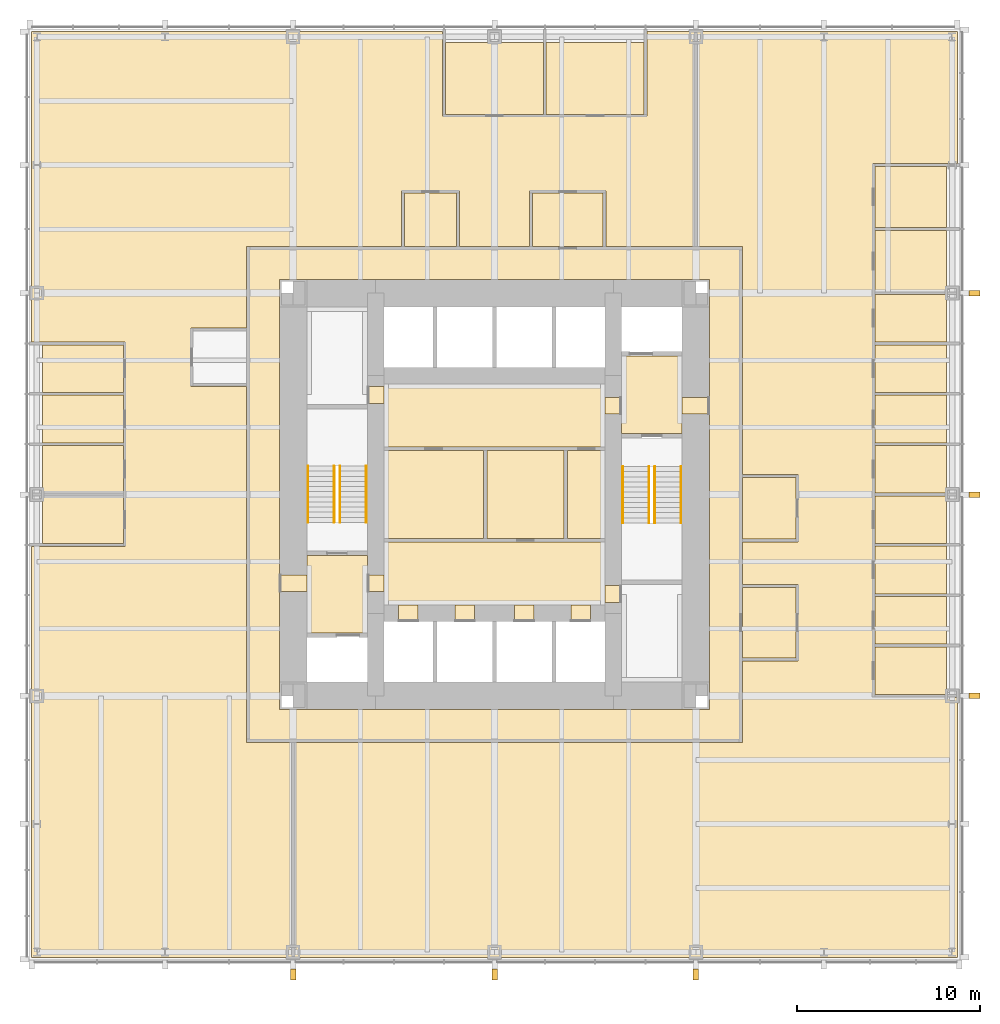
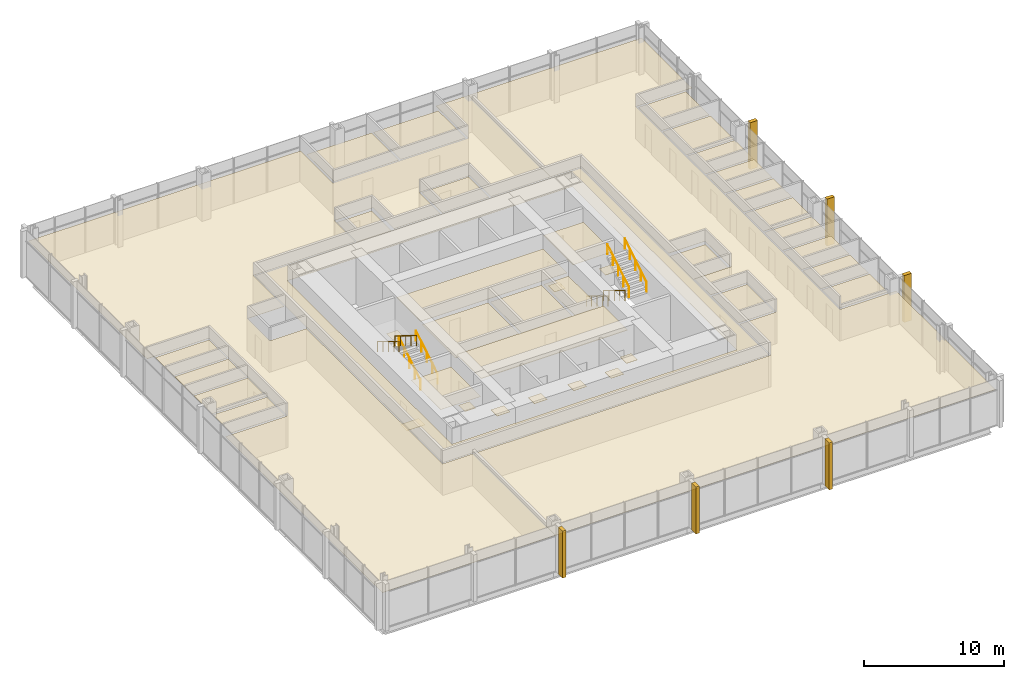
# One storey, part 12 of 12: 46 coverings, 8 railings.
"""IFC4 building model written with IfcOpenShell, lengths in metres."""

from ifc_helpers import new_model, si_unit, direction, frame, origin, origin_2d, place, context, subcontext, project, spatial, polyline, rectangle, circle, outline, extrude, material, layer, layer_set, type_object, element, save


model = new_model("IFC4")

# Units and contexts
model_context = context("Model", 3, precision=1e-05, world=origin(), true_north=direction((0.0, 1.0)))
body_context = subcontext(model_context, "Body", "Model", "MODEL_VIEW")
ifc_project = project(units=[si_unit("LENGTHUNIT", "METRE"), si_unit("AREAUNIT", "SQUARE_METRE"), si_unit("VOLUMEUNIT", "CUBIC_METRE"), si_unit("PLANEANGLEUNIT", "RADIAN"), si_unit("MASSUNIT", "GRAM", prefix="KILO")], contexts=[model_context])

# Site, building, storey
site_placement = place(None, origin())
site = spatial("IfcSite", under=ifc_project, at=site_placement, CompositionType="ELEMENT")
building_placement = place(site_placement, origin())
building = spatial("IfcBuilding", under=site, at=building_placement, Name="Trevanion Tower", CompositionType="ELEMENT")
storey_placement = place(building_placement, frame((0.0, 0.0, 44.699951171875)))
storey = spatial("IfcBuildingStorey", under=building, at=storey_placement, Name="L10", CompositionType="ELEMENT", Elevation=44.699951171875)

# Coverings
ifc_material_1 = material(Name="Fibrous plaster coffers on suspended steel grid", Category="steel")
ifc_layer_1 = layer(ifc_material_1, 0.050048828125)
ifc_layer_set_1 = layer_set([ifc_layer_1], Name="CL1 coffered fibrous plaster ceiling 50")
covering_type_1 = type_object("IfcCoveringType", Name="CL1 coffered fibrous plaster ceiling 50", PredefinedType="CEILING", material=ifc_layer_set_1)
covering_1_placement = place(storey_placement, frame((0.0, 0.0, 3.0)))
element("IfcCovering", 1, at=covering_1_placement, inside=storey, type_object=covering_type_1, Name="CL1 L10-LBS", PredefinedType="CEILING", context=body_context, shape_type="SweptSolid", body=[
    extrude(outline(polyline([(6.050048828125, -6.050048828125), (6.050048828125, -2.60009765625), (-6.050048828125, -2.60009765625), (-6.050048828125, -6.050048828125), (6.050048828125, -6.050048828125)])), origin(), (0.0, 0.0, 1.0), 0.050048828125),
])
ifc_material_2 = material(Name="Mineral fibre acoustic tiles in exposed grid", Category="mineral fibre")
ifc_layer_2 = layer(ifc_material_2, 0.02001953125)
ifc_layer_set_2 = layer_set([ifc_layer_2], Name="CL2 acoustic tile ceiling 20")
covering_type_2 = type_object("IfcCoveringType", Name="CL2 acoustic tile ceiling 20", PredefinedType="CEILING", material=ifc_layer_set_2)
covering_2_placement = place(storey_placement, frame((0.0, 0.0, 2.75)))
element("IfcCovering", 2, at=covering_2_placement, inside=storey, type_object=covering_type_2, Name="CL2 L10-LBN", PredefinedType="CEILING", context=body_context, shape_type="SweptSolid", body=[
    extrude(outline(polyline([(6.050048828125, 2.60009765625), (6.050048828125, 6.050048828125), (-6.050048828125, 6.050048828125), (-6.050048828125, 2.60009765625), (6.050048828125, 2.60009765625)])), origin(), (0.0, 0.0, 1.0), 0.02001953125),
])
covering_3_placement = place(storey_placement, frame((0.0, 0.0, 2.75)))
element("IfcCovering", 3, at=covering_3_placement, inside=storey, type_object=covering_type_2, Name="CL2 L10-CO", PredefinedType="CEILING", context=body_context, shape_type="SweptSolid", body=[
    extrude(outline(polyline([(-13.449951171875, 13.449951171875), (13.449951171875, 13.449951171875), (13.449951171875, -13.449951171875), (-13.449951171875, -13.449951171875), (-13.449951171875, 13.449951171875)]), holes=[polyline([(-11.75, 11.75), (-11.75, -11.75), (11.75, -11.75), (11.75, 11.75), (-11.75, 11.75)])]), origin(), (0.0, 0.0, 1.0), 0.02001953125),
])
covering_4_placement = place(storey_placement, frame((0.0, 0.0, 2.75)))
element("IfcCovering", 4, at=covering_4_placement, inside=storey, type_object=covering_type_2, Name="CL2 L10-OF", PredefinedType="CEILING", context=body_context, shape_type="SweptSolid", body=[
    extrude(outline(polyline([(20.77490234375, -10.925048828125), (20.77490234375, -8.324951171875), (24.699951171875, -8.324951171875), (24.699951171875, -10.925048828125), (20.77490234375, -10.925048828125)])), origin(), (0.0, 0.0, 1.0), 0.02001953125),
])
covering_5_placement = place(storey_placement, frame((0.0, 0.0, 2.75)))
element("IfcCovering", 5, at=covering_5_placement, inside=storey, type_object=covering_type_2, Name="CL2 L10-OF2", PredefinedType="CEILING", context=body_context, shape_type="SweptSolid", body=[
    extrude(outline(polyline([(20.77490234375, -8.175048828125), (20.77490234375, -5.574951171875), (24.699951171875, -5.574951171875), (24.699951171875, -8.175048828125), (20.77490234375, -8.175048828125)])), origin(), (0.0, 0.0, 1.0), 0.02001953125),
])
covering_6_placement = place(storey_placement, frame((0.0, 0.0, 2.75)))
element("IfcCovering", 6, at=covering_6_placement, inside=storey, type_object=covering_type_2, Name="CL2 L10-OF3", PredefinedType="CEILING", context=body_context, shape_type="SweptSolid", body=[
    extrude(outline(polyline([(20.77490234375, -5.425048828125), (20.77490234375, -2.824951171875), (24.699951171875, -2.824951171875), (24.699951171875, -5.425048828125), (20.77490234375, -5.425048828125)])), origin(), (0.0, 0.0, 1.0), 0.02001953125),
])
covering_7_placement = place(storey_placement, frame((0.0, 0.0, 2.75)))
element("IfcCovering", 7, at=covering_7_placement, inside=storey, type_object=covering_type_2, Name="CL2 L10-OF4", PredefinedType="CEILING", context=body_context, shape_type="SweptSolid", body=[
    extrude(outline(polyline([(20.77490234375, -2.675048828125), (20.77490234375, -0.074951171875), (24.699951171875, -0.074951171875), (24.699951171875, -2.675048828125), (20.77490234375, -2.675048828125)])), origin(), (0.0, 0.0, 1.0), 0.02001953125),
])
covering_8_placement = place(storey_placement, frame((0.0, 0.0, 2.75)))
element("IfcCovering", 8, at=covering_8_placement, inside=storey, type_object=covering_type_2, Name="CL2 L10-OF5", PredefinedType="CEILING", context=body_context, shape_type="SweptSolid", body=[
    extrude(outline(polyline([(20.77490234375, 0.074951171875), (20.77490234375, 2.675048828125), (24.699951171875, 2.675048828125), (24.699951171875, 0.074951171875), (20.77490234375, 0.074951171875)])), origin(), (0.0, 0.0, 1.0), 0.02001953125),
])
covering_9_placement = place(storey_placement, frame((0.0, 0.0, 2.75)))
element("IfcCovering", 9, at=covering_9_placement, inside=storey, type_object=covering_type_2, Name="CL2 L10-OF6", PredefinedType="CEILING", context=body_context, shape_type="SweptSolid", body=[
    extrude(outline(polyline([(20.77490234375, 2.824951171875), (20.77490234375, 5.425048828125), (24.699951171875, 5.425048828125), (24.699951171875, 2.824951171875), (20.77490234375, 2.824951171875)])), origin(), (0.0, 0.0, 1.0), 0.02001953125),
])
covering_10_placement = place(storey_placement, frame((0.0, 0.0, 2.75)))
element("IfcCovering", 10, at=covering_10_placement, inside=storey, type_object=covering_type_2, Name="CL2 L10-OF7", PredefinedType="CEILING", context=body_context, shape_type="SweptSolid", body=[
    extrude(outline(polyline([(20.77490234375, 5.574951171875), (20.77490234375, 8.175048828125), (24.699951171875, 8.175048828125), (24.699951171875, 5.574951171875), (20.77490234375, 5.574951171875)])), origin(), (0.0, 0.0, 1.0), 0.02001953125),
])
covering_11_placement = place(storey_placement, frame((0.0, 0.0, 2.75)))
element("IfcCovering", 11, at=covering_11_placement, inside=storey, type_object=covering_type_2, Name="CL2 L10-OF8", PredefinedType="CEILING", context=body_context, shape_type="SweptSolid", body=[
    extrude(outline(polyline([(20.77490234375, 8.324951171875), (20.77490234375, 10.925048828125), (24.699951171875, 10.925048828125), (24.699951171875, 8.324951171875), (20.77490234375, 8.324951171875)])), origin(), (0.0, 0.0, 1.0), 0.02001953125),
])
covering_12_placement = place(storey_placement, frame((0.0, 0.0, 2.75)))
element("IfcCovering", 12, at=covering_12_placement, inside=storey, type_object=covering_type_2, Name="CL2 L10-OF9", PredefinedType="CEILING", context=body_context, shape_type="SweptSolid", body=[
    extrude(outline(polyline([(20.77490234375, 11.074951171875), (20.77490234375, 14.425048828125), (24.699951171875, 14.425048828125), (24.699951171875, 11.074951171875), (20.77490234375, 11.074951171875)])), origin(), (0.0, 0.0, 1.0), 0.02001953125),
])
covering_13_placement = place(storey_placement, frame((0.0, 0.0, 2.75)))
element("IfcCovering", 13, at=covering_13_placement, inside=storey, type_object=covering_type_2, Name="CL2 L10-OF10", PredefinedType="CEILING", context=body_context, shape_type="SweptSolid", body=[
    extrude(outline(polyline([(20.77490234375, 14.574951171875), (20.77490234375, 17.925048828125), (24.699951171875, 17.925048828125), (24.699951171875, 14.574951171875), (20.77490234375, 14.574951171875)])), origin(), (0.0, 0.0, 1.0), 0.02001953125),
])
covering_14_placement = place(storey_placement, frame((0.0, 0.0, 2.75)))
element("IfcCovering", 14, at=covering_14_placement, inside=storey, type_object=covering_type_2, Name="CL2 L10-OF11", PredefinedType="CEILING", context=body_context, shape_type="SweptSolid", body=[
    extrude(outline(polyline([(-20.27490234375, 8.175048828125), (-20.27490234375, 5.574951171875), (-24.699951171875, 5.574951171875), (-24.699951171875, 8.175048828125), (-20.27490234375, 8.175048828125)])), origin(), (0.0, 0.0, 1.0), 0.02001953125),
])
covering_15_placement = place(storey_placement, frame((0.0, 0.0, 2.75)))
element("IfcCovering", 15, at=covering_15_placement, inside=storey, type_object=covering_type_2, Name="CL2 L10-OF12", PredefinedType="CEILING", context=body_context, shape_type="SweptSolid", body=[
    extrude(outline(polyline([(-20.27490234375, 5.425048828125), (-20.27490234375, 2.824951171875), (-24.699951171875, 2.824951171875), (-24.699951171875, 5.425048828125), (-20.27490234375, 5.425048828125)])), origin(), (0.0, 0.0, 1.0), 0.02001953125),
])
covering_16_placement = place(storey_placement, frame((0.0, 0.0, 2.75)))
element("IfcCovering", 16, at=covering_16_placement, inside=storey, type_object=covering_type_2, Name="CL2 L10-OF13", PredefinedType="CEILING", context=body_context, shape_type="SweptSolid", body=[
    extrude(outline(polyline([(-20.27490234375, 2.675048828125), (-20.27490234375, 0.074951171875), (-24.699951171875, 0.074951171875), (-24.699951171875, 2.675048828125), (-20.27490234375, 2.675048828125)])), origin(), (0.0, 0.0, 1.0), 0.02001953125),
])
covering_17_placement = place(storey_placement, frame((0.0, 0.0, 2.75)))
element("IfcCovering", 17, at=covering_17_placement, inside=storey, type_object=covering_type_2, Name="CL2 L10-OF14", PredefinedType="CEILING", context=body_context, shape_type="SweptSolid", body=[
    extrude(outline(polyline([(-20.27490234375, -0.074951171875), (-20.27490234375, -2.675048828125), (-24.699951171875, -2.675048828125), (-24.699951171875, -0.074951171875), (-20.27490234375, -0.074951171875)])), origin(), (0.0, 0.0, 1.0), 0.02001953125),
])
covering_18_placement = place(storey_placement, frame((0.0, 0.0, 2.75)))
element("IfcCovering", 18, at=covering_18_placement, inside=storey, type_object=covering_type_2, Name="CL2 L10-MR", PredefinedType="CEILING", context=body_context, shape_type="SweptSolid", body=[
    extrude(outline(polyline([(8.175048828125, 20.77490234375), (2.824951171875, 20.77490234375), (2.824951171875, 24.699951171875), (8.175048828125, 24.699951171875), (8.175048828125, 20.77490234375)])), origin(), (0.0, 0.0, 1.0), 0.02001953125),
])
covering_19_placement = place(storey_placement, frame((0.0, 0.0, 2.75)))
element("IfcCovering", 19, at=covering_19_placement, inside=storey, type_object=covering_type_2, Name="CL2 L10-MR2", PredefinedType="CEILING", context=body_context, shape_type="SweptSolid", body=[
    extrude(outline(polyline([(2.675048828125, 20.77490234375), (-2.675048828125, 20.77490234375), (-2.675048828125, 24.699951171875), (2.675048828125, 24.699951171875), (2.675048828125, 20.77490234375)])), origin(), (0.0, 0.0, 1.0), 0.02001953125),
])
covering_20_placement = place(storey_placement, frame((0.0, 0.0, 2.75)))
element("IfcCovering", 20, at=covering_20_placement, inside=storey, type_object=covering_type_2, Name="CL2 L10-RC", PredefinedType="CEILING", context=body_context, shape_type="SweptSolid", body=[
    extrude(outline(polyline([(13.550048828125, -8.925048828125), (13.550048828125, -5.074951171875), (16.47509765625, -5.074951171875), (16.47509765625, -8.925048828125), (13.550048828125, -8.925048828125)])), origin(), (0.0, 0.0, 1.0), 0.02001953125),
])
covering_21_placement = place(storey_placement, frame((0.0, 0.0, 2.75)))
element("IfcCovering", 21, at=covering_21_placement, inside=storey, type_object=covering_type_2, Name="CL2 L10-RC2", PredefinedType="CEILING", context=body_context, shape_type="SweptSolid", body=[
    extrude(outline(polyline([(5.925048828125, 13.550048828125), (2.074951171875, 13.550048828125), (2.074951171875, 16.47509765625), (5.925048828125, 16.47509765625), (5.925048828125, 13.550048828125)])), origin(), (0.0, 0.0, 1.0), 0.02001953125),
])
covering_22_placement = place(storey_placement, frame((0.0, 0.0, 2.75)))
element("IfcCovering", 22, at=covering_22_placement, inside=storey, type_object=covering_type_2, Name="CL2 L10-OP", PredefinedType="CEILING", context=body_context, shape_type="SweptSolid", body=[
    extrude(outline(polyline([(13.550048828125, -13.550048828125), (13.550048828125, -9.094970703125), (16.570068359375, -9.094970703125), (16.570068359375, -4.905029296875), (13.550048828125, -4.905029296875), (13.550048828125, -2.594970703125), (16.570068359375, -2.594970703125), (16.570068359375, 1.094970703125), (13.550048828125, 1.094970703125), (13.550048828125, 13.550048828125), (11.0, 13.550048828125), (11.0, 25.300048828125), (25.300048828125, 25.300048828125), (25.300048828125, 18.094970703125), (20.679931640625, 18.094970703125), (20.679931640625, -11.094970703125), (25.300048828125, -11.094970703125), (25.300048828125, -25.300048828125), (-11.0, -25.300048828125), (-11.0, -13.550048828125), (13.550048828125, -13.550048828125)])), origin(), (0.0, 0.0, 1.0), 0.02001953125),
])
covering_23_placement = place(storey_placement, frame((0.0, 0.0, 2.75)))
element("IfcCovering", 23, at=covering_23_placement, inside=storey, type_object=covering_type_2, Name="CL2 L10-OP2", PredefinedType="CEILING", context=body_context, shape_type="SweptSolid", body=[
    extrude(outline(polyline([(-11.0, -13.550048828125), (-11.0, -25.300048828125), (-25.300048828125, -25.300048828125), (-25.300048828125, -2.844970703125), (-20.179931640625, -2.844970703125), (-20.179931640625, 8.344970703125), (-25.300048828125, 8.344970703125), (-25.300048828125, 25.300048828125), (-2.844970703125, 25.300048828125), (-2.844970703125, 20.679931640625), (8.344970703125, 20.679931640625), (8.344970703125, 25.300048828125), (11.0, 25.300048828125), (11.0, 13.550048828125), (6.094970703125, 13.550048828125), (6.094970703125, 16.570068359375), (1.905029296875, 16.570068359375), (1.905029296875, 13.550048828125), (-1.905029296875, 13.550048828125), (-1.905029296875, 16.570068359375), (-5.094970703125, 16.570068359375), (-5.094970703125, 13.550048828125), (-13.550048828125, 13.550048828125), (-13.550048828125, 9.094970703125), (-16.570068359375, 9.094970703125), (-16.570068359375, 5.905029296875), (-13.550048828125, 5.905029296875), (-13.550048828125, -13.550048828125), (-11.0, -13.550048828125)])), origin(), (0.0, 0.0, 1.0), 0.02001953125),
])
ifc_material_3 = material(Name="Gypsum plasterboard on suspended metal furring", Category="gypsum")
ifc_layer_3 = layer(ifc_material_3, 0.012939453125)
ifc_layer_set_3 = layer_set([ifc_layer_3], Name="CL3 plasterboard ceiling 13")
covering_type_3 = type_object("IfcCoveringType", Name="CL3 plasterboard ceiling 13", PredefinedType="CEILING", material=ifc_layer_set_3)
covering_24_placement = place(storey_placement, frame((0.0, 0.0, 2.699951171875)))
element("IfcCovering", 24, at=covering_24_placement, inside=storey, type_object=covering_type_3, Name="CL3 L10-FV1", PredefinedType="CEILING", context=body_context, shape_type="SweptSolid", body=[
    extrude(outline(polyline([(10.25, 3.324951171875), (10.25, 7.574951171875), (6.949951171875, 7.574951171875), (6.949951171875, 3.324951171875), (10.25, 3.324951171875)])), origin(), (0.0, 0.0, 1.0), 0.01318359375),
])
covering_25_placement = place(storey_placement, frame((0.0, 0.0, 2.699951171875)))
element("IfcCovering", 25, at=covering_25_placement, inside=storey, type_object=covering_type_3, Name="CL3 L10-FV2", PredefinedType="CEILING", context=body_context, shape_type="SweptSolid", body=[
    extrude(outline(polyline([(-10.25, -3.324951171875), (-10.25, -7.574951171875), (-6.949951171875, -7.574951171875), (-6.949951171875, -3.324951171875), (-10.25, -3.324951171875)])), origin(), (0.0, 0.0, 1.0), 0.01318359375),
])
ifc_material_4 = material(Name="Moisture-resistant gypsum board on suspended metal furring", Category="gypsum")
ifc_layer_4 = layer(ifc_material_4, 0.01611328125)
ifc_layer_set_4 = layer_set([ifc_layer_4], Name="CL4 moisture-resistant board ceiling 16")
covering_type_4 = type_object("IfcCoveringType", Name="CL4 moisture-resistant board ceiling 16", PredefinedType="CEILING", material=ifc_layer_set_4)
covering_26_placement = place(storey_placement, frame((0.0, 0.0, 2.60009765625)))
element("IfcCovering", 26, at=covering_26_placement, inside=storey, type_object=covering_type_4, Name="CL4 L10-WCM", PredefinedType="CEILING", context=body_context, shape_type="SweptSolid", body=[
    extrude(outline(polyline([(-0.60009765625, -2.39990234375), (-0.60009765625, 2.39990234375), (-6.050048828125, 2.39990234375), (-6.050048828125, -2.39990234375), (-0.60009765625, -2.39990234375)])), origin(), (0.0, 0.0, 1.0), 0.015869140625),
])
covering_27_placement = place(storey_placement, frame((0.0, 0.0, 2.60009765625)))
element("IfcCovering", 27, at=covering_27_placement, inside=storey, type_object=covering_type_4, Name="CL4 L10-WCF", PredefinedType="CEILING", context=body_context, shape_type="SweptSolid", body=[
    extrude(outline(polyline([(3.800048828125, -2.39990234375), (3.800048828125, 2.39990234375), (-0.39990234375, 2.39990234375), (-0.39990234375, -2.39990234375), (3.800048828125, -2.39990234375)])), origin(), (0.0, 0.0, 1.0), 0.015869140625),
])
covering_28_placement = place(storey_placement, frame((0.0, 0.0, 2.60009765625)))
element("IfcCovering", 28, at=covering_28_placement, inside=storey, type_object=covering_type_4, Name="CL4 L10-WCA", PredefinedType="CEILING", context=body_context, shape_type="SweptSolid", body=[
    extrude(outline(polyline([(6.050048828125, -2.39990234375), (6.050048828125, 2.39990234375), (4.0, 2.39990234375), (4.0, -2.39990234375), (6.050048828125, -2.39990234375)])), origin(), (0.0, 0.0, 1.0), 0.015869140625),
])
covering_29_placement = place(storey_placement, frame((0.0, 0.0, 2.60009765625)))
element("IfcCovering", 29, at=covering_29_placement, inside=storey, type_object=covering_type_4, Name="CL4 L10-PA", PredefinedType="CEILING", context=body_context, shape_type="SweptSolid", body=[
    extrude(outline(polyline([(13.550048828125, -2.425048828125), (13.550048828125, 0.925048828125), (16.47509765625, 0.925048828125), (16.47509765625, -2.425048828125), (13.550048828125, -2.425048828125)])), origin(), (0.0, 0.0, 1.0), 0.015869140625),
])
covering_30_placement = place(storey_placement, frame((0.0, 0.0, 2.60009765625)))
element("IfcCovering", 30, at=covering_30_placement, inside=storey, type_object=covering_type_4, Name="CL4 L10-PA2", PredefinedType="CEILING", context=body_context, shape_type="SweptSolid", body=[
    extrude(outline(polyline([(-2.074951171875, 13.550048828125), (-4.925048828125, 13.550048828125), (-4.925048828125, 16.47509765625), (-2.074951171875, 16.47509765625), (-2.074951171875, 13.550048828125)])), origin(), (0.0, 0.0, 1.0), 0.015869140625),
])
ifc_material_5 = material(Name="Cast bronze fin on aluminium carrier", Category="aluminium")
covering_type_5 = type_object("IfcCoveringType", Name="F1 bronze fin", PredefinedType="CLADDING", material=ifc_material_5)
for number, where, z_axis, x_axis, name in (
    (31, (26.22509765625, -11.0, -0.18994140625), (0.0, 0.0, 1.0), (0.0, 1.0, 0.0), "F1 L10 east -11.0"),
    (32, (26.22509765625, 0.0, -0.18994140625), (0.0, 0.0, 1.0), (0.0, 1.0, 0.0), "F1 L10 east +0.0"),
    (33, (26.22509765625, 11.0, -0.18994140625), (0.0, 0.0, 1.0), (0.0, 1.0, 0.0), "F1 L10 east +11.0"),
    (34, (-11.0, -26.22509765625, -0.18994140625), (0.0, 0.0, 1.0), (1.0, 0.0, 0.0), "F1 L10 south -11.0"),
    (35, (0.0, -26.22509765625, -0.18994140625), (0.0, 0.0, 1.0), (1.0, 0.0, 0.0), "F1 L10 south +0.0"),
    (36, (11.0, -26.22509765625, -0.18994140625), (0.0, 0.0, 1.0), (1.0, 0.0, 0.0), "F1 L10 south +11.0"),
):
    element("IfcCovering", number, at=place(storey_placement, frame(where, z_axis=z_axis, x_axis=x_axis)), inside=storey, type_object=covering_type_5, Name=name, PredefinedType="CLADDING", context=body_context, shape_type="SweptSolid", body=[
        extrude(rectangle(XDim=0.300048828125, YDim=0.60009765625, at=origin_2d()), origin(), (0.0, 0.0, 1.0), 4.10009765625),
    ])
ifc_material_6 = material(Name="Terrazzo, brass divider strips", Category="stone")
ifc_layer_5 = layer(ifc_material_6, 0.02001953125)
ifc_layer_set_5 = layer_set([ifc_layer_5], Name="FF1 terrazzo flooring")
covering_type_6 = type_object("IfcCoveringType", Name="FF1 terrazzo flooring", PredefinedType="FLOORING", material=ifc_layer_set_5)
covering_31_placement = place(storey_placement, origin())
element("IfcCovering", 37, at=covering_31_placement, inside=storey, type_object=covering_type_6, Name="FF1 threshold 10-001", PredefinedType="FLOORING", context=body_context, shape_type="SweptSolid", body=[
    extrude(outline(polyline([(11.75, 4.392578125), (11.75, 5.3076171875), (10.25, 5.3076171875), (10.25, 4.392578125), (11.75, 4.392578125)])), origin(), (0.0, 0.0, 1.0), 0.02001953125),
])
covering_32_placement = place(storey_placement, origin())
element("IfcCovering", 38, at=covering_32_placement, inside=storey, type_object=covering_type_6, Name="FF1 threshold 10-002", PredefinedType="FLOORING", context=body_context, shape_type="SweptSolid", body=[
    extrude(outline(polyline([(-11.75, -4.392578125), (-11.75, -5.3076171875), (-10.25, -5.3076171875), (-10.25, -4.392578125), (-11.75, -4.392578125)])), origin(), (0.0, 0.0, 1.0), 0.02001953125),
])
covering_33_placement = place(storey_placement, origin())
element("IfcCovering", 39, at=covering_33_placement, inside=storey, type_object=covering_type_6, Name="FF1 threshold 10-003", PredefinedType="FLOORING", context=body_context, shape_type="SweptSolid", body=[
    extrude(outline(polyline([(6.949951171875, 4.392578125), (6.949951171875, 5.3076171875), (6.050048828125, 5.3076171875), (6.050048828125, 4.392578125), (6.949951171875, 4.392578125)])), origin(), (0.0, 0.0, 1.0), 0.02001953125),
])
covering_34_placement = place(storey_placement, origin())
element("IfcCovering", 40, at=covering_34_placement, inside=storey, type_object=covering_type_6, Name="FF1 threshold 10-004", PredefinedType="FLOORING", context=body_context, shape_type="SweptSolid", body=[
    extrude(outline(polyline([(-6.949951171875, -4.392578125), (-6.949951171875, -5.3076171875), (-6.050048828125, -5.3076171875), (-6.050048828125, -4.392578125), (-6.949951171875, -4.392578125)])), origin(), (0.0, 0.0, 1.0), 0.02001953125),
])
covering_35_placement = place(storey_placement, origin())
element("IfcCovering", 41, at=covering_35_placement, inside=storey, type_object=covering_type_6, Name="FF1 threshold 10-009", PredefinedType="FLOORING", context=body_context, shape_type="SweptSolid", body=[
    extrude(outline(polyline([(6.949951171875, -5.889892578125), (6.949951171875, -4.97509765625), (6.050048828125, -4.97509765625), (6.050048828125, -5.889892578125), (6.949951171875, -5.889892578125)])), origin(), (0.0, 0.0, 1.0), 0.02001953125),
])
covering_36_placement = place(storey_placement, origin())
element("IfcCovering", 42, at=covering_36_placement, inside=storey, type_object=covering_type_6, Name="FF1 threshold 10-010", PredefinedType="FLOORING", context=body_context, shape_type="SweptSolid", body=[
    extrude(outline(polyline([(-6.949951171875, 5.889892578125), (-6.949951171875, 4.97509765625), (-6.050048828125, 4.97509765625), (-6.050048828125, 5.889892578125), (-6.949951171875, 5.889892578125)])), origin(), (0.0, 0.0, 1.0), 0.02001953125),
])
covering_37_placement = place(storey_placement, origin())
element("IfcCovering", 43, at=covering_37_placement, inside=storey, type_object=covering_type_6, Name="FF1 threshold 10-011", PredefinedType="FLOORING", context=body_context, shape_type="SweptSolid", body=[
    extrude(outline(polyline([(-5.2333984375, -6.949951171875), (-4.16650390625, -6.949951171875), (-4.16650390625, -6.050048828125), (-5.2333984375, -6.050048828125), (-5.2333984375, -6.949951171875)])), origin(), (0.0, 0.0, 1.0), 0.02001953125),
])
covering_38_placement = place(storey_placement, origin())
element("IfcCovering", 44, at=covering_38_placement, inside=storey, type_object=covering_type_6, Name="FF1 threshold 10-012", PredefinedType="FLOORING", context=body_context, shape_type="SweptSolid", body=[
    extrude(outline(polyline([(-2.158447265625, -6.949951171875), (-1.091552734375, -6.949951171875), (-1.091552734375, -6.050048828125), (-2.158447265625, -6.050048828125), (-2.158447265625, -6.949951171875)])), origin(), (0.0, 0.0, 1.0), 0.02001953125),
])
covering_39_placement = place(storey_placement, origin())
element("IfcCovering", 45, at=covering_39_placement, inside=storey, type_object=covering_type_6, Name="FF1 threshold 10-013", PredefinedType="FLOORING", context=body_context, shape_type="SweptSolid", body=[
    extrude(outline(polyline([(1.091552734375, -6.949951171875), (2.158447265625, -6.949951171875), (2.158447265625, -6.050048828125), (1.091552734375, -6.050048828125), (1.091552734375, -6.949951171875)])), origin(), (0.0, 0.0, 1.0), 0.02001953125),
])
covering_40_placement = place(storey_placement, origin())
element("IfcCovering", 46, at=covering_40_placement, inside=storey, type_object=covering_type_6, Name="FF1 threshold 10-014", PredefinedType="FLOORING", context=body_context, shape_type="SweptSolid", body=[
    extrude(outline(polyline([(4.16650390625, -6.949951171875), (5.2333984375, -6.949951171875), (5.2333984375, -6.050048828125), (4.16650390625, -6.050048828125), (4.16650390625, -6.949951171875)])), origin(), (0.0, 0.0, 1.0), 0.02001953125),
])

# Railings
ifc_material_7 = material(Name="Stainless steel tube 40 mm", Category="steel")
railing_type = type_object("IfcRailingType", Name="HR1 handrail", PredefinedType="HANDRAIL", material=ifc_material_7)
for number, where, name in (
    (47, (7.010009765625, 1.52490234375, 0.1708984375), "HR1 ST1 L10 flight 1"),
    (48, (8.43994140625, 1.52490234375, 0.1708984375), "HR1 ST1 L10 flight 1"),
):
    element("IfcRailing", number, at=place(storey_placement, frame(where)), inside=storey, type_object=railing_type, Name=name, PredefinedType="HANDRAIL", context=body_context, shape_type="SweptSolid", body=[
        extrude(circle(Radius=0.02001953125, at=origin_2d()), frame((0.0, 0.0, 0.8798828125), z_axis=(0.0, -0.853647949592, 0.520850437417), x_axis=(1.0, 0.0, 0.0)), (0.0, 0.0, 1.0), 3.60791015625),
        extrude(circle(Radius=0.01513671875, at=origin_2d()), origin(), (0.0, 0.0, 1.0), 0.85986328125),
        extrude(circle(Radius=0.01513671875, at=origin_2d()), frame((0.0, -0.77001953125, 0.4697265625)), (0.0, 0.0, 1.0), 0.85986328125),
        extrude(circle(Radius=0.01513671875, at=origin_2d()), frame((0.0, -1.5400390625, 0.939453125)), (0.0, 0.0, 1.0), 0.85986328125),
        extrude(circle(Radius=0.01513671875, at=origin_2d()), frame((0.0, -2.309814453125, 1.409423828125)), (0.0, 0.0, 1.0), 0.85986328125),
        extrude(circle(Radius=0.01513671875, at=origin_2d()), frame((0.0, -3.079833984375, 1.879150390625)), (0.0, 0.0, 1.0), 0.85986328125),
    ])
for number, where, name in (
    (49, (8.760009765625, -1.554931640625, 2.220947265625), "HR1 ST1 L10 flight 2"),
    (50, (10.18994140625, -1.554931640625, 2.220947265625), "HR1 ST1 L10 flight 2"),
    (51, (-7.010009765625, -1.52490234375, 0.1708984375), "HR1 ST2 L10 flight 1"),
    (52, (-8.43994140625, -1.52490234375, 0.1708984375), "HR1 ST2 L10 flight 1"),
):
    element("IfcRailing", number, at=place(storey_placement, frame(where)), inside=storey, type_object=railing_type, Name=name, PredefinedType="HANDRAIL", context=body_context, shape_type="SweptSolid", body=[
        extrude(circle(Radius=0.02001953125, at=origin_2d()), frame((0.0, 0.0, 0.8798828125), z_axis=(0.0, 0.853647949592, 0.520850437417), x_axis=(-1.0, 0.0, 0.0)), (0.0, 0.0, 1.0), 3.60791015625),
        extrude(circle(Radius=0.01513671875, at=origin_2d()), origin(), (0.0, 0.0, 1.0), 0.85986328125),
        extrude(circle(Radius=0.01513671875, at=origin_2d()), frame((0.0, 0.77001953125, 0.4697265625)), (0.0, 0.0, 1.0), 0.85986328125),
        extrude(circle(Radius=0.01513671875, at=origin_2d()), frame((0.0, 1.5400390625, 0.939453125)), (0.0, 0.0, 1.0), 0.85986328125),
        extrude(circle(Radius=0.01513671875, at=origin_2d()), frame((0.0, 2.309814453125, 1.409423828125)), (0.0, 0.0, 1.0), 0.85986328125),
        extrude(circle(Radius=0.01513671875, at=origin_2d()), frame((0.0, 3.079833984375, 1.879150390625)), (0.0, 0.0, 1.0), 0.85986328125),
    ])
for number, where, name in (
    (53, (-8.760009765625, 1.554931640625, 2.220947265625), "HR1 ST2 L10 flight 2"),
    (54, (-10.18994140625, 1.554931640625, 2.220947265625), "HR1 ST2 L10 flight 2"),
):
    element("IfcRailing", number, at=place(storey_placement, frame(where)), inside=storey, type_object=railing_type, Name=name, PredefinedType="HANDRAIL", context=body_context, shape_type="SweptSolid", body=[
        extrude(circle(Radius=0.02001953125, at=origin_2d()), frame((0.0, 0.0, 0.8798828125), z_axis=(0.0, -0.853647949592, 0.520850437417), x_axis=(1.0, 0.0, 0.0)), (0.0, 0.0, 1.0), 3.60791015625),
        extrude(circle(Radius=0.01513671875, at=origin_2d()), origin(), (0.0, 0.0, 1.0), 0.85986328125),
        extrude(circle(Radius=0.01513671875, at=origin_2d()), frame((0.0, -0.77001953125, 0.4697265625)), (0.0, 0.0, 1.0), 0.85986328125),
        extrude(circle(Radius=0.01513671875, at=origin_2d()), frame((0.0, -1.5400390625, 0.939453125)), (0.0, 0.0, 1.0), 0.85986328125),
        extrude(circle(Radius=0.01513671875, at=origin_2d()), frame((0.0, -2.309814453125, 1.409423828125)), (0.0, 0.0, 1.0), 0.85986328125),
        extrude(circle(Radius=0.01513671875, at=origin_2d()), frame((0.0, -3.079833984375, 1.879150390625)), (0.0, 0.0, 1.0), 0.85986328125),
    ])

save(model, "model.ifc")
